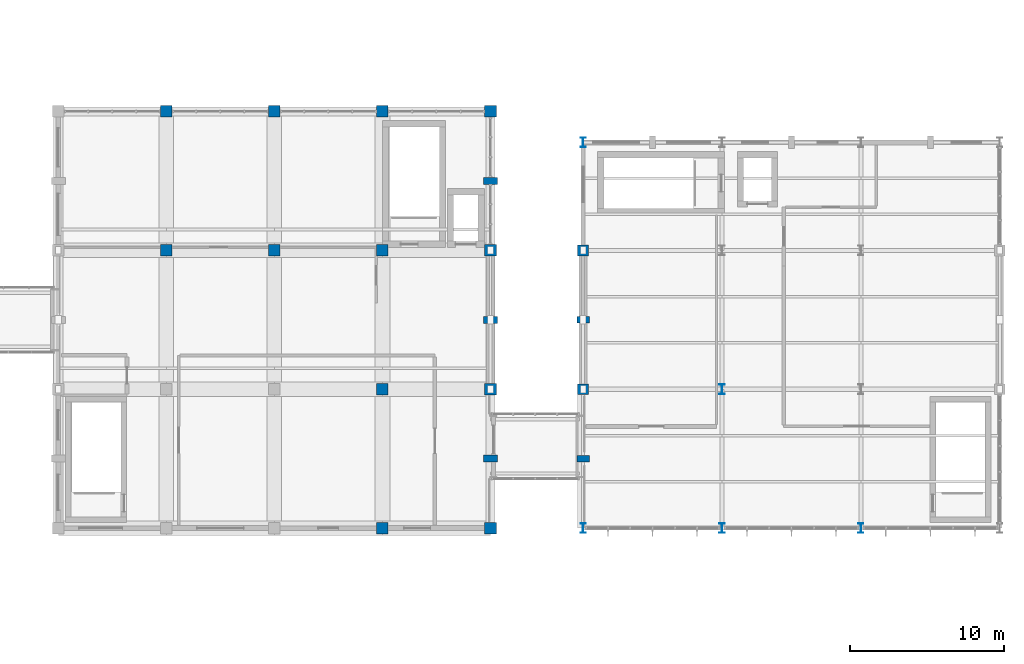
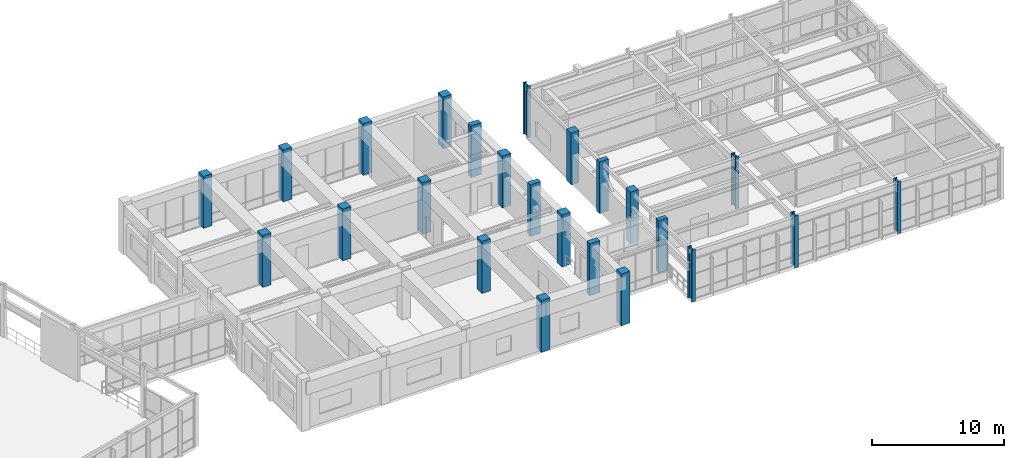
# One storey, part 7 of 99: 24 columns.
"""IFC4 building model written with IfcOpenShell, lengths in metres."""

import ifcopenshell
import ifcopenshell.guid

model = None  # the IFC model being written
_history = None  # IfcOwnerHistory: only IFC2X3 demands one
_inside = {}  # id of a spatial element -> (the spatial element, [elements in it])
_under = {}  # id of a project, library or spatial element -> (it, [spatial elements below it])
_declared = {}  # id of a project -> (the project, [libraries it declares])
_typed = {}  # id of a type object -> (the type object, [elements of that type])
_made_of = {}  # id of a material, layer set ... -> (it, [elements and type objects made of it])


def new_model(schema):
    """Start an empty IFC model of exactly this schema.

    Asked for "IFC4X3", IfcOpenShell would pick the latest addendum, in which some entities
    have other attributes; the version numbers below select the first issue.
    IFC2X3 requires an IfcOwnerHistory on every rooted entity: one is made here for all.
    """
    global model, _history
    if schema == "IFC4X3":
        model = ifcopenshell.file(schema_version=(4, 3, 0, 0))
    else:
        model = ifcopenshell.file(schema=schema)
    _inside.clear()
    _under.clear()
    _declared.clear()
    _typed.clear()
    _made_of.clear()
    _history = None
    if model.schema == "IFC2X3":
        org = make("IfcOrganization", Name="unknown")
        user = make(
            "IfcPersonAndOrganization",
            ThePerson=make("IfcPerson", FamilyName="unknown"),
            TheOrganization=org,
        )
        app = make(
            "IfcApplication",
            ApplicationDeveloper=org,
            Version="unknown",
            ApplicationFullName="unknown",
            ApplicationIdentifier="unknown",
        )
        _history = make(
            "IfcOwnerHistory",
            OwningUser=user,
            OwningApplication=app,
            ChangeAction="ADDED",
            CreationDate=0,
        )
    return model


def make(cls, **values):
    """One entity of the class cls with the attributes given. An attribute that is None is left unset."""
    return model.create_entity(
        cls, **{name: value for name, value in values.items() if value is not None}
    )


def rooted(cls, **values):
    """An entity with a GlobalId (a new one), such as an element, a storey or a relation."""
    return make(cls, GlobalId=ifcopenshell.guid.new(), OwnerHistory=_history, **values)


def si_unit(unit_type, name, prefix=None):
    """IfcSIUnit, for example si_unit("LENGTHUNIT", "METRE", prefix="MILLI")."""
    return make("IfcSIUnit", UnitType=unit_type, Prefix=prefix, Name=name)


def assignment(units):
    """IfcUnitAssignment: the units of a project."""
    return None if units is None else make("IfcUnitAssignment", Units=units)


def point(xyz):
    """IfcCartesianPoint."""
    return None if xyz is None else make("IfcCartesianPoint", Coordinates=xyz)


def direction(xyz):
    """IfcDirection."""
    return None if xyz is None else make("IfcDirection", DirectionRatios=xyz)


def frame(location, z_axis=None, x_axis=None):
    """IfcAxis2Placement3D, a coordinate frame: its origin and axes. An axis left out is left unset."""
    return make(
        "IfcAxis2Placement3D",
        Location=point(location),
        Axis=direction(z_axis),
        RefDirection=direction(x_axis),
    )


def frame_2d(location, x_axis=None):
    """IfcAxis2Placement2D, a coordinate frame in the plane: its origin and x axis."""
    return make(
        "IfcAxis2Placement2D", Location=point(location), RefDirection=direction(x_axis)
    )


def origin():
    """The frame at (0, 0, 0) with its axes left unset."""
    return frame((0.0, 0.0, 0.0))


def origin_2d():
    """The frame at (0, 0) in the plane with its x axis left unset."""
    return frame_2d((0.0, 0.0))


def place(relative_to, where):
    """IfcLocalPlacement: puts the frame where relative to a parent placement (None: the world)."""
    return make(
        "IfcLocalPlacement", PlacementRelTo=relative_to, RelativePlacement=where
    )


def context(
    kind, dimensions, precision=None, world=None, true_north=None, identifier=None
):
    """IfcGeometricRepresentationContext, for example the 3D "Model" context."""
    return make(
        "IfcGeometricRepresentationContext",
        ContextIdentifier=identifier,
        ContextType=kind,
        CoordinateSpaceDimension=dimensions,
        Precision=precision,
        WorldCoordinateSystem=world,
        TrueNorth=true_north,
    )


def subcontext(parent, identifier, kind, view, scale=None):
    """IfcGeometricRepresentationSubContext, for example "Body" below "Model"."""
    return make(
        "IfcGeometricRepresentationSubContext",
        ContextIdentifier=identifier,
        ContextType=kind,
        ParentContext=parent,
        TargetScale=scale,
        TargetView=view,
    )


def project(units=None, contexts=None):
    """IfcProject with its units and contexts."""
    return rooted(
        "IfcProject",
        Name="project",
        RepresentationContexts=contexts,
        UnitsInContext=assignment(units),
    )


def spatial(cls, under=None, at=None, **own):
    """A site, building, storey or space (cls), placed at a placement, below another one or the project."""
    s = rooted(cls, ObjectPlacement=at, **own)
    if under is not None:
        _under.setdefault(under.id(), (under, []))[1].append(s)
    return s


def profile(cls, at=None, kind="AREA", **sizes):
    """A parametric profile (cls). Its sizes go by their IFC names, for example OverallWidth=200.0."""
    return make(cls, ProfileType=kind, Position=at, **sizes)


def rectangle(**sizes):
    """IfcRectangleProfileDef."""
    return profile("IfcRectangleProfileDef", **sizes)


def i_section(**sizes):
    """IfcIShapeProfileDef."""
    return profile("IfcIShapeProfileDef", **sizes)


def extrude(swept, where, along, depth):
    """IfcExtrudedAreaSolid: the profile swept, set in the frame where, extruded along a direction by depth."""
    return make(
        "IfcExtrudedAreaSolid",
        SweptArea=swept,
        Position=where,
        ExtrudedDirection=direction(along),
        Depth=depth,
    )


def shape(context_of_items, identifier, shape_type, items):
    """IfcShapeRepresentation: the items that make up one representation, for example the "Body"."""
    return make(
        "IfcShapeRepresentation",
        ContextOfItems=context_of_items,
        RepresentationIdentifier=identifier,
        RepresentationType=shape_type,
        Items=items,
    )


def material(Name=None, Category=None):
    """IfcMaterial."""
    return make("IfcMaterial", Name=Name, Category=Category)


def material_profile(
    of_material, cross_section, Name=None, Category=None, Priority=None
):
    """IfcMaterialProfile: a cross section and its material."""
    return make(
        "IfcMaterialProfile",
        Name=Name,
        Material=of_material,
        Profile=cross_section,
        Priority=Priority,
        Category=Category,
    )


def profile_set(profiles, Name=None, composite=None):
    """IfcMaterialProfileSet."""
    return make(
        "IfcMaterialProfileSet",
        Name=Name,
        MaterialProfiles=profiles,
        CompositeProfile=composite,
    )


def made_of(thing, what):
    """Note that an element or type object is made of a material, layer set ...; save() writes the relation."""
    if what is not None:
        _made_of.setdefault(what.id(), (what, []))[1].append(thing)
    return thing


def type_object(cls, material=None, **own):
    """A type object (cls), such as IfcWallType, which elements share."""
    return made_of(rooted(cls, **own), material)


def element(
    cls,
    number,
    at=None,
    inside=None,
    cuts=None,
    type_object=None,
    material=None,
    context=None,
    identifier="Body",
    shape_type=None,
    held_by="IfcProductDefinitionShape",
    body=None,
    shapes=None,
    **own,
):
    """One element of the class cls, such as IfcWall. Its Tag is "e" and its number.

    at: its placement. inside: the storey or other place that contains it. cuts: it is an
    opening in that element (IfcRelVoidsElement). A single representation is given by context,
    identifier, shape_type and body (its items); several are given by shapes. held_by: the class
    of the entity that holds the representations. save() writes the other relations.
    """
    e = rooted(cls, Tag="e%d" % number, ObjectPlacement=at, **own)
    if body is not None:
        shapes = [shape(context, identifier, shape_type, body)]
    if shapes is not None:
        e.Representation = make(held_by, Representations=shapes)
    if inside is not None:
        _inside.setdefault(inside.id(), (inside, []))[1].append(e)
    if cuts is not None:
        rooted(
            "IfcRelVoidsElement", RelatingBuildingElement=cuts, RelatedOpeningElement=e
        )
    if type_object is not None:
        _typed.setdefault(type_object.id(), (type_object, []))[1].append(e)
    return made_of(e, material)


def aggregate(whole, parts):
    """IfcRelAggregates: a whole, such as a stair, and the parts it consists of."""
    return rooted("IfcRelAggregates", RelatingObject=whole, RelatedObjects=parts)


def save(model, path):
    """Write the relations noted so far, then the file.

    IfcRelAggregates (storeys below a building ...), IfcRelContainedInSpatialStructure (elements
    in a storey), IfcRelDefinesByType, IfcRelAssociatesMaterial and IfcRelDeclares: one each for
    every whole, place, type object, material and project.
    """
    for whole, parts in _under.values():
        aggregate(whole, parts)
    for where, things in _inside.values():
        rooted(
            "IfcRelContainedInSpatialStructure",
            RelatedElements=things,
            RelatingStructure=where,
        )
    for kind, things in _typed.values():
        rooted("IfcRelDefinesByType", RelatedObjects=things, RelatingType=kind)
    for what, things in _made_of.values():
        rooted("IfcRelAssociatesMaterial", RelatedObjects=things, RelatingMaterial=what)
    for by, libraries in _declared.values():
        rooted("IfcRelDeclares", RelatingContext=by, RelatedDefinitions=libraries)
    model.write(path)


model = new_model("IFC4")

# Units and contexts
model_context = context("Model", 3, precision=1e-05, world=origin(), true_north=direction((0.0, 1.0)))
body_context = subcontext(model_context, "Body", "Model", "MODEL_VIEW")
ifc_project = project(units=[si_unit("LENGTHUNIT", "METRE"), si_unit("AREAUNIT", "SQUARE_METRE"), si_unit("VOLUMEUNIT", "CUBIC_METRE"), si_unit("PLANEANGLEUNIT", "RADIAN"), si_unit("MASSUNIT", "GRAM", prefix="KILO")], contexts=[model_context])

# Site, building, storey
site_placement = place(None, origin())
site = spatial("IfcSite", under=ifc_project, at=site_placement, CompositionType="ELEMENT")
building_placement = place(site_placement, origin())
building = spatial("IfcBuilding", under=site, at=building_placement, Name="Ventoquebrada Cableway Terminal", CompositionType="ELEMENT")
storey_placement = place(building_placement, frame((0.0, 0.0, 9.60009765625)))
storey = spatial("IfcBuildingStorey", under=building, at=storey_placement, Name="L02", CompositionType="ELEMENT", Elevation=9.60009765625)

# Columns
ifc_material_1 = material(Name="Concrete C40/50", Category="concrete")
ifc_material_profile_1 = material_profile(ifc_material_1, rectangle(XDim=0.699951171875, YDim=0.699951171875, at=origin_2d()), Name="RC-COL-700X700")
ifc_profile_set_1 = profile_set([ifc_material_profile_1], Name="Concrete C40/50")
column_type_1 = type_object("IfcColumnType", Name="COL-RC04", PredefinedType="COLUMN", material=ifc_profile_set_1)
for number, where, z_axis, x_axis, name in (
    (1, (129.0, 86.0, 0.0), (0.0, 0.0, 1.0), (1.0, 0.0, 0.0), "Structural column FC-0533"),
    (2, (129.0, 95.0, 0.0), (0.0, 0.0, 1.0), (1.0, 0.0, 0.0), "Structural column FC-0537"),
):
    element("IfcColumn", number, at=place(storey_placement, frame(where, z_axis=z_axis, x_axis=x_axis)), inside=storey, type_object=column_type_1, Name=name, PredefinedType="COLUMN", context=body_context, shape_type="SweptSolid", body=[
        extrude(rectangle(XDim=0.699951171875, YDim=0.699951171875, at=origin_2d()), origin(), (0.0, 0.0, 1.0), 4.7998046875),
    ])
ifc_material_profile_2 = material_profile(ifc_material_1, rectangle(XDim=0.75, YDim=0.75, at=origin_2d()), Name="RC-COL-750X750")
ifc_profile_set_2 = profile_set([ifc_material_profile_2], Name="Concrete C40/50")
column_type_2 = type_object("IfcColumnType", Name="COL-RC05", PredefinedType="COLUMN", material=ifc_profile_set_2)
for number, where, z_axis, x_axis, name in (
    (3, (102.0, 95.0, 0.0), (0.0, 0.0, 1.0), (1.0, 0.0, 0.0), "Structural column FC-0435"),
    (4, (102.0, 104.0, 0.0), (0.0, 0.0, 1.0), (1.0, 0.0, 0.0), "Structural column FC-0439"),
    (5, (109.0, 95.0, 0.0), (0.0, 0.0, 1.0), (1.0, 0.0, 0.0), "Structural column FC-0453"),
    (6, (109.0, 104.0, 0.0), (0.0, 0.0, 1.0), (1.0, 0.0, 0.0), "Structural column FC-0457"),
    (7, (116.0, 77.0, 0.0), (0.0, 0.0, 1.0), (1.0, 0.0, 0.0), "Structural column FC-0463"),
    (8, (116.0, 86.0, 0.0), (0.0, 0.0, 1.0), (1.0, 0.0, 0.0), "Structural column FC-0467"),
    (9, (116.0, 95.0, 0.0), (0.0, 0.0, 1.0), (1.0, 0.0, 0.0), "Structural column FC-0471"),
    (10, (116.0, 104.0, 0.0), (0.0, 0.0, 1.0), (1.0, 0.0, 0.0), "Structural column FC-0475"),
    (11, (123.0, 77.0, 0.0), (0.0, 0.0, 1.0), (1.0, 0.0, 0.0), "Structural column FC-0481"),
    (12, (123.0, 86.0, 0.0), (0.0, 0.0, 1.0), (1.0, 0.0, 0.0), "Structural column FC-0485"),
    (13, (123.0, 95.0, 0.0), (0.0, 0.0, 1.0), (1.0, 0.0, 0.0), "Structural column FC-0489"),
    (14, (123.0, 104.0, 0.0), (0.0, 0.0, 1.0), (1.0, 0.0, 0.0), "Structural column FC-0493"),
):
    element("IfcColumn", number, at=place(storey_placement, frame(where, z_axis=z_axis, x_axis=x_axis)), inside=storey, type_object=column_type_2, Name=name, PredefinedType="COLUMN", context=body_context, shape_type="SweptSolid", body=[
        extrude(rectangle(XDim=0.75, YDim=0.75, at=origin_2d()), origin(), (0.0, 0.0, 1.0), 4.7998046875),
    ])
ifc_material_2 = material(Name="Steel ASTM A992 Grade 50", Category="steel")
ifc_material_profile_3 = material_profile(ifc_material_2, i_section(OverallWidth=0.327880859375, OverallDepth=0.6220703125, WebThickness=0.015380859375, FlangeThickness=0.0244140625, at=origin_2d()), Name="W24X131")
ifc_profile_set_3 = profile_set([ifc_material_profile_3], Name="Steel ASTM A992 Grade 50")
column_type_3 = type_object("IfcColumnType", Name="COL-ST02", PredefinedType="COLUMN", material=ifc_profile_set_3)
for number, where, z_axis, x_axis, name in (
    (15, (129.0, 77.0, 0.0), (0.0, 0.0, 1.0), (1.0, 0.0, 0.0), "Structural column FC-0529"),
    (16, (129.0, 102.0, 0.0), (0.0, 0.0, 1.0), (1.0, 0.0, 0.0), "Structural column FC-0541"),
    (17, (138.0, 77.0, 0.0), (0.0, 0.0, 1.0), (1.0, 0.0, 0.0), "Structural column FC-0549"),
    (18, (138.0, 86.0, 0.0), (0.0, 0.0, 1.0), (1.0, 0.0, 0.0), "Structural column FC-0553"),
    (19, (147.0, 77.0, 0.0), (0.0, 0.0, 1.0), (1.0, 0.0, 0.0), "Structural column FC-0569"),
):
    element("IfcColumn", number, at=place(storey_placement, frame(where, z_axis=z_axis, x_axis=x_axis)), inside=storey, type_object=column_type_3, Name=name, PredefinedType="COLUMN", context=body_context, shape_type="SweptSolid", body=[
        extrude(i_section(OverallWidth=0.327880859375, OverallDepth=0.6220703125, WebThickness=0.015380859375, FlangeThickness=0.0244140625, at=origin_2d()), origin(), (0.0, 0.0, 1.0), 4.7998046875),
    ])
ifc_material_profile_4 = material_profile(ifc_material_1, rectangle(XDim=0.39990234375, YDim=0.800048828125, at=origin_2d()), Name="RC-PIL-400X800")
ifc_profile_set_4 = profile_set([ifc_material_profile_4], Name="Concrete C40/50")
column_type_4 = type_object("IfcColumnType", Name="PIL-RC01", PredefinedType="PILASTER", material=ifc_profile_set_4)
for number, where, z_axis, x_axis, name in (
    (20, (129.0, 81.5, 0.0), (0.0, 0.0, 1.0), (0.0, 1.0, 0.0), "Facade pilaster FPL-0641"),
    (21, (129.0, 90.5, 0.0), (0.0, 0.0, 1.0), (0.0, 1.0, 0.0), "Facade pilaster FPL-0645"),
):
    element("IfcColumn", number, at=place(storey_placement, frame(where, z_axis=z_axis, x_axis=x_axis)), inside=storey, type_object=column_type_4, Name=name, PredefinedType="PILASTER", context=body_context, shape_type="SweptSolid", body=[
        extrude(rectangle(XDim=0.39990234375, YDim=0.800048828125, at=origin_2d()), origin(), (0.0, 0.0, 1.0), 4.7998046875),
    ])
ifc_material_profile_5 = material_profile(ifc_material_1, rectangle(XDim=0.449951171875, YDim=0.89990234375, at=origin_2d()), Name="RC-PIL-450X900")
ifc_profile_set_5 = profile_set([ifc_material_profile_5], Name="Concrete C40/50")
column_type_5 = type_object("IfcColumnType", Name="PIL-RC02", PredefinedType="PILASTER", material=ifc_profile_set_5)
for number, where, z_axis, x_axis, name in (
    (22, (123.0, 81.5, 0.0), (0.0, 0.0, 1.0), (0.0, 1.0, 0.0), "Facade pilaster FPL-0513"),
    (23, (123.0, 90.5, 0.0), (0.0, 0.0, 1.0), (0.0, 1.0, 0.0), "Facade pilaster FPL-0517"),
    (24, (123.0, 99.5, 0.0), (0.0, 0.0, 1.0), (0.0, 1.0, 0.0), "Facade pilaster FPL-0521"),
):
    element("IfcColumn", number, at=place(storey_placement, frame(where, z_axis=z_axis, x_axis=x_axis)), inside=storey, type_object=column_type_5, Name=name, PredefinedType="PILASTER", context=body_context, shape_type="SweptSolid", body=[
        extrude(rectangle(XDim=0.449951171875, YDim=0.89990234375, at=origin_2d()), origin(), (0.0, 0.0, 1.0), 4.7998046875),
    ])

save(model, "model.ifc")
